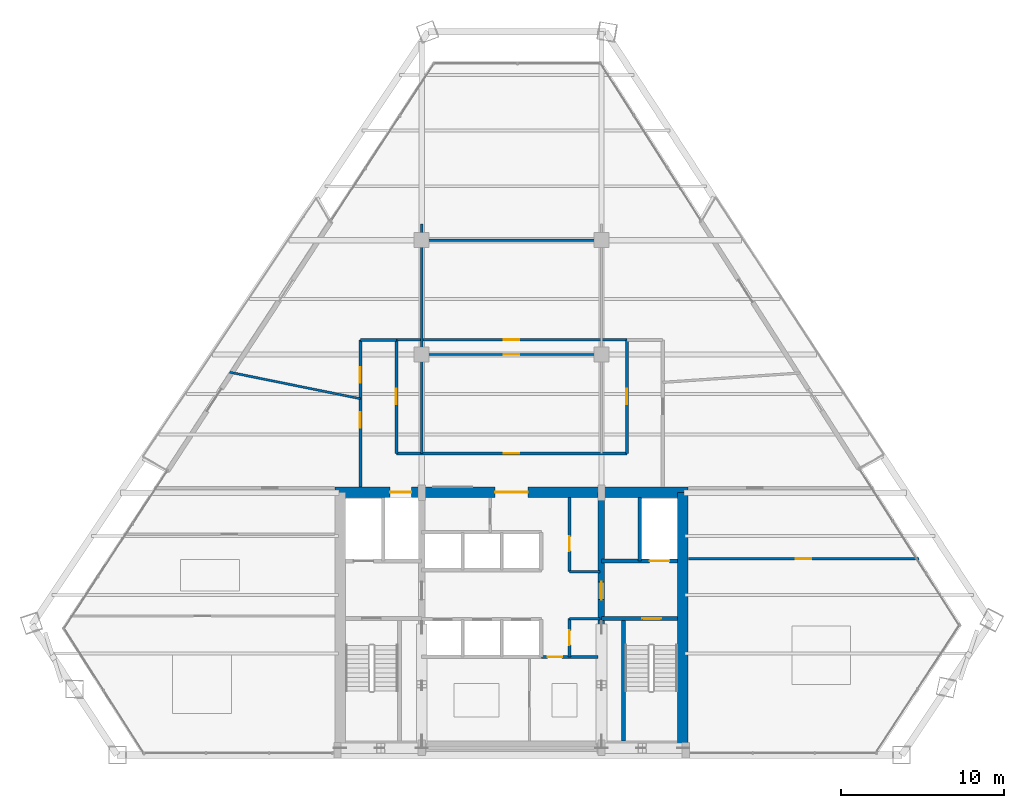
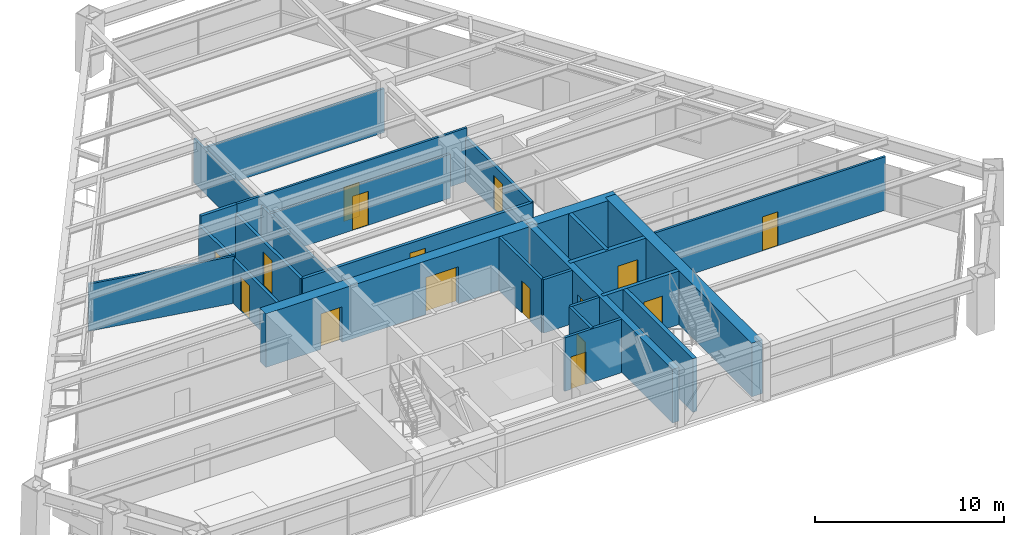
# One storey, part 11 of 14: 23 walls, 16 doors, 16 openings.
"""IFC4 building model written with IfcOpenShell, lengths in metres."""

from ifc_helpers import new_model, si_unit, direction, frame, frame_2d, origin, place, context, subcontext, project, spatial, rectangle, extrude, source, transform, mapped, material, layer, layer_set, type_object, type_shapes, element, fill, save


model = new_model("IFC4")

# Units and contexts
model_context = context("Model", 3, precision=1e-05, world=origin(), true_north=direction((0.0, 1.0)))
body_context = subcontext(model_context, "Body", "Model", "MODEL_VIEW")
ifc_project = project(units=[si_unit("LENGTHUNIT", "METRE"), si_unit("AREAUNIT", "SQUARE_METRE"), si_unit("VOLUMEUNIT", "CUBIC_METRE"), si_unit("PLANEANGLEUNIT", "RADIAN"), si_unit("MASSUNIT", "GRAM", prefix="KILO")], contexts=[model_context])

# Site, building, storey
site_placement = place(None, origin())
site = spatial("IfcSite", under=ifc_project, at=site_placement, CompositionType="ELEMENT")
building_placement = place(site_placement, origin())
building = spatial("IfcBuilding", under=site, at=building_placement, Name="Varnakhor Terracotta Tower", CompositionType="ELEMENT")
storey_placement = place(building_placement, frame((0.0, 0.0, 133.0)))
storey = spatial("IfcBuildingStorey", under=building, at=storey_placement, Name="L33", CompositionType="ELEMENT", Elevation=133.0)

# Wall, openings, doors
ifc_material_1 = material(Name="Concrete C50/60", Category="concrete")
ifc_layer_1 = layer(ifc_material_1, 0.64990234375, Name="Concrete C50/60")
ifc_layer_set_1 = layer_set([ifc_layer_1], Name="Concrete C50/60")
wall_type_1 = type_object("IfcWallType", Name="WAL-CORE-650", PredefinedType="SHEAR", material=ifc_layer_set_1)
wall_1_placement = place(storey_placement, frame((-10.800048828125, 16.074951171875, 0.0), z_axis=(0.0, 0.0, 1.0), x_axis=(1.0, 0.0, 0.0)))
wall_1 = element("IfcWall", 1, at=wall_1_placement, inside=storey, type_object=wall_type_1, Name="L33 North Core Shear Wall", PredefinedType="SHEAR", context=body_context, shape_type="SweptSolid", body=[
    extrude(rectangle(XDim=21.60009765625, YDim=0.64990234375, at=frame_2d((10.800048828125, 0.0))), origin(), (0.0, 0.0, 1.0), 3.469970703125),
])
opening_1_placement = place(wall_1_placement, frame((3.3701171875, 0.0, 0.0)))
opening_1 = element("IfcOpeningElement", 2, at=opening_1_placement, cuts=wall_1, Name="Opening LD-03", PredefinedType="OPENING", context=body_context, shape_type="SweptSolid", body=[
    extrude(rectangle(XDim=1.300048828125, YDim=2.300048828125, at=frame_2d((0.64990234375, 1.14990234375))), frame((0.0, 0.3349609375, 0.0), z_axis=(0.0, -1.0, 0.0), x_axis=(1.0, 0.0, 0.0)), (0.0, 0.0, 1.0), 0.669921875),
])
opening_2_placement = place(wall_1_placement, frame((9.800048828125, 0.0, 0.0)))
opening_2 = element("IfcOpeningElement", 3, at=opening_2_placement, cuts=wall_1, Name="Opening DR-32", PredefinedType="OPENING", context=body_context, shape_type="SweptSolid", body=[
    extrude(rectangle(XDim=2.0, YDim=2.39990234375, at=frame_2d((1.0, 1.199951171875))), frame((0.0, 0.3349609375, 0.0), z_axis=(0.0, -1.0, 0.0), x_axis=(1.0, 0.0, 0.0)), (0.0, 0.0, 1.0), 0.669921875),
])
ifc_material_2 = material(Name="Heavy-Duty Goods Sliding Lift Landing Door", Category="steel")
door_type_1 = type_object("IfcDoorType", Name="LD-SRV-1300X2300", OperationType="NOTDEFINED", PredefinedType="DOOR", material=ifc_material_2)
shared_shape_1 = source(origin(), body_context, "Body", "SweptSolid", [
    extrude(rectangle(XDim=1.300048828125, YDim=2.300048828125, at=frame_2d((0.64990234375, 1.14990234375))), frame((0.0, 0.02490234375, 0.0), z_axis=(0.0, -1.0, 0.0), x_axis=(1.0, 0.0, 0.0)), (0.0, 0.0, 1.0), 0.050048828125),
])
type_shapes(door_type_1, [shared_shape_1])
door_1_placement = place(opening_1_placement, origin())
door_1 = element("IfcDoor", 4, at=door_1_placement, inside=storey, type_object=door_type_1, Name="L33 Service Lift SVL-1 Landing Door", OperationType="SLIDING_TO_RIGHT", OverallHeight=2.300048828125, OverallWidth=1.300048828125, PredefinedType="DOOR", context=body_context, shape_type="MappedRepresentation", body=[
    mapped(shared_shape_1, transform((0.0, 0.0, 0.0), scale=1.0)),
])
fill(opening_1, door_1)
ifc_material_3 = material(Name="Acoustic Double Assembly Fire Door", Category="wood")
door_type_2 = type_object("IfcDoorType", Name="DR-HALL-2000X2400", OperationType="NOTDEFINED", PredefinedType="DOOR", material=ifc_material_3)
shared_shape_2 = source(origin(), body_context, "Body", "SweptSolid", [
    extrude(rectangle(XDim=2.0, YDim=2.39990234375, at=frame_2d((1.0, 1.199951171875))), frame((0.0, 0.02490234375, 0.0), z_axis=(0.0, -1.0, 0.0), x_axis=(1.0, 0.0, 0.0)), (0.0, 0.0, 1.0), 0.050048828125),
])
type_shapes(door_type_2, [shared_shape_2])
door_2_placement = place(opening_2_placement, origin())
door_2 = element("IfcDoor", 5, at=door_2_placement, inside=storey, type_object=door_type_2, Name="L33 Core Main Lobby Double Door", OperationType="DOUBLE_DOOR_SINGLE_SWING", OverallHeight=2.39990234375, OverallWidth=2.0, PredefinedType="DOOR", context=body_context, shape_type="MappedRepresentation", body=[
    mapped(shared_shape_2, transform((0.0, 0.0, 0.0), scale=1.0)),
])
fill(opening_2, door_2)

# Wall
wall_2_placement = place(storey_placement, frame((10.47509765625, 0.52490234375, 0.0), z_axis=(0.0, 0.0, 1.0), x_axis=(0.0, 1.0, 0.0)))
element("IfcWall", 6, at=wall_2_placement, inside=storey, type_object=wall_type_1, Name="L33 East Core Shear Wall", PredefinedType="SHEAR", context=body_context, shape_type="SweptSolid", body=[
    extrude(rectangle(XDim=15.550048828125, YDim=0.64990234375, at=frame_2d((7.77490234375, 0.0))), origin(), (0.0, 0.0, 1.0), 3.469970703125),
])

# Wall, opening, door
ifc_layer_2 = layer(ifc_material_1, 0.39990234375, Name="Concrete C50/60")
ifc_layer_set_2 = layer_set([ifc_layer_2], Name="Concrete C50/60")
wall_type_2 = type_object("IfcWallType", Name="WAL-CORE-WEB-400", PredefinedType="SHEAR", material=ifc_layer_set_2)
wall_3_placement = place(storey_placement, frame((5.5, 0.52490234375, 0.0), z_axis=(0.0, 0.0, 1.0), x_axis=(0.0, 1.0, 0.0)))
wall_3 = element("IfcWall", 7, at=wall_3_placement, inside=storey, type_object=wall_type_2, Name="L33 East Core Web Shear Wall", PredefinedType="SHEAR", context=body_context, shape_type="SweptSolid", body=[
    extrude(rectangle(XDim=15.550048828125, YDim=0.39990234375, at=frame_2d((7.77490234375, 0.0))), origin(), (0.0, 0.0, 1.0), 3.469970703125),
])
opening_3_placement = place(wall_3_placement, frame((8.97509765625, 0.0, 0.0)))
opening_3 = element("IfcOpeningElement", 8, at=opening_3_placement, cuts=wall_3, Name="Opening DR-25", PredefinedType="OPENING", context=body_context, shape_type="SweptSolid", body=[
    extrude(rectangle(XDim=1.10009765625, YDim=2.199951171875, at=frame_2d((0.550048828125, 1.10009765625))), frame((0.0, 0.2099609375, 0.0), z_axis=(0.0, -1.0, 0.0), x_axis=(1.0, 0.0, 0.0)), (0.0, 0.0, 1.0), 0.419921875),
])
ifc_material_4 = material(Name="Firefighting Lobby Self-Closing Fire Door", Category="steel")
door_type_3 = type_object("IfcDoorType", Name="DR-FFL-1100X2200", OperationType="NOTDEFINED", PredefinedType="DOOR", material=ifc_material_4)
shared_shape_3 = source(origin(), body_context, "Body", "SweptSolid", [
    extrude(rectangle(XDim=1.10009765625, YDim=2.199951171875, at=frame_2d((0.550048828125, 1.10009765625))), frame((0.0, 0.02490234375, 0.0), z_axis=(0.0, -1.0, 0.0), x_axis=(1.0, 0.0, 0.0)), (0.0, 0.0, 1.0), 0.050048828125),
])
type_shapes(door_type_3, [shared_shape_3])
door_3_placement = place(opening_3_placement, origin())
door_3 = element("IfcDoor", 9, at=door_3_placement, inside=storey, type_object=door_type_3, Name="L33 East Firefighting Lobby Door", OperationType="SINGLE_SWING_LEFT", OverallHeight=2.199951171875, OverallWidth=1.10009765625, PredefinedType="DOOR", context=body_context, shape_type="MappedRepresentation", body=[
    mapped(shared_shape_3, transform((0.0, 0.0, 0.0), scale=1.0)),
])
fill(opening_3, door_3)

ifc_material_5 = material(Name="Fire-Rated Gypsum Stud Partition", Category="gypsum")
ifc_layer_3 = layer(ifc_material_5, 0.18505859375, Name="Fire-Rated Gypsum Stud Partition")
ifc_layer_set_3 = layer_set([ifc_layer_3], Name="Fire-Rated Gypsum Stud Partition")
wall_type_3 = type_object("IfcWallType", Name="WAL-CORR-185", PredefinedType="PARTITIONING", material=ifc_layer_set_3)
wall_4_placement = place(storey_placement, frame((-7.050048828125, 18.449951171875, 0.0), z_axis=(0.0, 0.0, 1.0), x_axis=(1.0, 0.0, 0.0)))
wall_4 = element("IfcWall", 10, at=wall_4_placement, inside=storey, type_object=wall_type_3, Name="L33 Central Gallery Link Wall", PredefinedType="PARTITIONING", context=body_context, shape_type="SweptSolid", body=[
    extrude(rectangle(XDim=14.10009765625, YDim=0.18505859375, at=frame_2d((7.050048828125, 0.0))), origin(), (0.0, 0.0, 1.0), 2.845947265625),
])
opening_4_placement = place(wall_4_placement, frame((6.574951171875, 0.0, 0.0)))
opening_4 = element("IfcOpeningElement", 11, at=opening_4_placement, cuts=wall_4, Name="Opening DR-94", PredefinedType="OPENING", context=body_context, shape_type="SweptSolid", body=[
    extrude(rectangle(XDim=0.949951171875, YDim=2.199951171875, at=frame_2d((0.47509765625, 1.10009765625))), frame((0.0, 0.1025390625, 0.0), z_axis=(0.0, -1.0, 0.0), x_axis=(1.0, 0.0, 0.0)), (0.0, 0.0, 1.0), 0.205078125),
])
ifc_material_6 = material(Name="Acoustic Glazed-Vision Timber Office Door", Category="wood")
door_type_4 = type_object("IfcDoorType", Name="DR-OFF-950X2200", OperationType="NOTDEFINED", PredefinedType="DOOR", material=ifc_material_6)
shared_shape_4 = source(origin(), body_context, "Body", "SweptSolid", [
    extrude(rectangle(XDim=0.949951171875, YDim=2.199951171875, at=frame_2d((0.47509765625, 1.10009765625))), frame((0.0, 0.02490234375, 0.0), z_axis=(0.0, -1.0, 0.0), x_axis=(1.0, 0.0, 0.0)), (0.0, 0.0, 1.0), 0.050048828125),
])
type_shapes(door_type_4, [shared_shape_4])
door_4_placement = place(opening_4_placement, origin())
door_4 = element("IfcDoor", 12, at=door_4_placement, inside=storey, type_object=door_type_4, Name="L33 Center Suite Door", OperationType="SINGLE_SWING_LEFT", OverallHeight=2.199951171875, OverallWidth=0.949951171875, PredefinedType="DOOR", context=body_context, shape_type="MappedRepresentation", body=[
    mapped(shared_shape_4, transform((0.0, 0.0, 0.0), scale=1.0)),
])
fill(opening_4, door_4)

wall_5_placement = place(storey_placement, frame((-7.050048828125, 18.449951171875, 0.0), z_axis=(0.0, 0.0, 1.0), x_axis=(0.0, 1.0, 0.0)))
wall_5 = element("IfcWall", 13, at=wall_5_placement, inside=storey, type_object=wall_type_3, Name="L33 West Gallery Inner Wall", PredefinedType="PARTITIONING", context=body_context, shape_type="SweptSolid", body=[
    extrude(rectangle(XDim=6.949951171875, YDim=0.18505859375, at=frame_2d((3.47509765625, 0.0))), origin(), (0.0, 0.0, 1.0), 2.845947265625),
])
opening_5_placement = place(wall_5_placement, frame((3.0, 0.0, 0.0)))
opening_5 = element("IfcOpeningElement", 14, at=opening_5_placement, cuts=wall_5, Name="Opening DR-94", PredefinedType="OPENING", context=body_context, shape_type="SweptSolid", body=[
    extrude(rectangle(XDim=0.949951171875, YDim=2.199951171875, at=frame_2d((0.47509765625, 1.10009765625))), frame((0.0, 0.1025390625, 0.0), z_axis=(0.0, -1.0, 0.0), x_axis=(1.0, 0.0, 0.0)), (0.0, 0.0, 1.0), 0.205078125),
])
door_5_placement = place(opening_5_placement, origin())
door_5 = element("IfcDoor", 15, at=door_5_placement, inside=storey, type_object=door_type_4, Name="L33 Corporate Office W1 B10 Door", OperationType="SINGLE_SWING_RIGHT", OverallHeight=2.199951171875, OverallWidth=0.949951171875, PredefinedType="DOOR", context=body_context, shape_type="MappedRepresentation", body=[
    mapped(shared_shape_4, transform((0.0, 0.0, 0.0), scale=1.0)),
])
fill(opening_5, door_5)

wall_6_placement = place(storey_placement, frame((7.050048828125, 18.449951171875, 0.0), z_axis=(0.0, 0.0, 1.0), x_axis=(0.0, 1.0, 0.0)))
wall_6 = element("IfcWall", 16, at=wall_6_placement, inside=storey, type_object=wall_type_3, Name="L33 East Gallery Inner Wall", PredefinedType="PARTITIONING", context=body_context, shape_type="SweptSolid", body=[
    extrude(rectangle(XDim=6.949951171875, YDim=0.18505859375, at=frame_2d((3.47509765625, 0.0))), origin(), (0.0, 0.0, 1.0), 2.845947265625),
])
opening_6_placement = place(wall_6_placement, frame((3.0, 0.0, 0.0)))
opening_6 = element("IfcOpeningElement", 17, at=opening_6_placement, cuts=wall_6, Name="Opening DR-94", PredefinedType="OPENING", context=body_context, shape_type="SweptSolid", body=[
    extrude(rectangle(XDim=0.949951171875, YDim=2.199951171875, at=frame_2d((0.47509765625, 1.10009765625))), frame((0.0, 0.1025390625, 0.0), z_axis=(0.0, -1.0, 0.0), x_axis=(1.0, 0.0, 0.0)), (0.0, 0.0, 1.0), 0.205078125),
])
door_6_placement = place(opening_6_placement, origin())
door_6 = element("IfcDoor", 18, at=door_6_placement, inside=storey, type_object=door_type_4, Name="L33 Corporate Office W2 B11 Door", OperationType="SINGLE_SWING_LEFT", OverallHeight=2.199951171875, OverallWidth=0.949951171875, PredefinedType="DOOR", context=body_context, shape_type="MappedRepresentation", body=[
    mapped(shared_shape_4, transform((0.0, 0.0, 0.0), scale=1.0)),
])
fill(opening_6, door_6)

# Wall, openings, doors
wall_7_placement = place(storey_placement, frame((-9.25, 16.39990234375, 0.0), z_axis=(0.0, 0.0, 1.0), x_axis=(0.0, 1.0, 0.0)))
wall_7 = element("IfcWall", 19, at=wall_7_placement, inside=storey, type_object=wall_type_3, Name="L33 West Gallery Outer Wall", PredefinedType="PARTITIONING", context=body_context, shape_type="SweptSolid", body=[
    extrude(rectangle(XDim=9.0, YDim=0.18505859375, at=frame_2d((4.5, 0.0))), origin(), (0.0, 0.0, 1.0), 2.845947265625),
])
opening_7_placement = place(wall_7_placement, frame((3.60888671875, 0.0, 0.0)))
opening_7 = element("IfcOpeningElement", 20, at=opening_7_placement, cuts=wall_7, Name="Opening DR-94", PredefinedType="OPENING", context=body_context, shape_type="SweptSolid", body=[
    extrude(rectangle(XDim=0.949951171875, YDim=2.199951171875, at=frame_2d((0.47509765625, 1.10009765625))), frame((0.0, 0.1025390625, 0.0), z_axis=(0.0, -1.0, 0.0), x_axis=(1.0, 0.0, 0.0)), (0.0, 0.0, 1.0), 0.205078125),
])
opening_8_placement = place(wall_7_placement, frame((6.384765625, 0.0, 0.0)))
opening_8 = element("IfcOpeningElement", 21, at=opening_8_placement, cuts=wall_7, Name="Opening DR-94", PredefinedType="OPENING", context=body_context, shape_type="SweptSolid", body=[
    extrude(rectangle(XDim=0.949951171875, YDim=2.199951171875, at=frame_2d((0.47509765625, 1.10009765625))), frame((0.0, 0.1025390625, 0.0), z_axis=(0.0, -1.0, 0.0), x_axis=(1.0, 0.0, 0.0)), (0.0, 0.0, 1.0), 0.205078125),
])
door_7_placement = place(opening_7_placement, origin())
door_7 = element("IfcDoor", 22, at=door_7_placement, inside=storey, type_object=door_type_4, Name="L33 West Wing Door", OperationType="SINGLE_SWING_RIGHT", OverallHeight=2.199951171875, OverallWidth=0.949951171875, PredefinedType="DOOR", context=body_context, shape_type="MappedRepresentation", body=[
    mapped(shared_shape_4, transform((0.0, 0.0, 0.0), scale=1.0)),
])
fill(opening_7, door_7)
door_8_placement = place(opening_8_placement, origin())
door_8 = element("IfcDoor", 23, at=door_8_placement, inside=storey, type_object=door_type_4, Name="L33 Tea Pantry Door", OperationType="SINGLE_SWING_LEFT", OverallHeight=2.199951171875, OverallWidth=0.949951171875, PredefinedType="DOOR", context=body_context, shape_type="MappedRepresentation", body=[
    mapped(shared_shape_4, transform((0.0, 0.0, 0.0), scale=1.0)),
])
fill(opening_8, door_8)

# Wall
wall_8_placement = place(storey_placement, frame((-9.25, 25.39990234375, 0.0), z_axis=(0.0, 0.0, 1.0), x_axis=(1.0, 0.0, 0.0)))
element("IfcWall", 24, at=wall_8_placement, inside=storey, type_object=wall_type_3, Name="L33 West Gallery North End", PredefinedType="PARTITIONING", context=body_context, shape_type="SweptSolid", body=[
    extrude(rectangle(XDim=2.199951171875, YDim=0.18505859375, at=frame_2d((1.10009765625, 0.0))), origin(), (0.0, 0.0, 1.0), 3.4619140625),
])

# Wall, opening, door
ifc_material_7 = material(Name="Concrete C40/50", Category="concrete")
ifc_layer_4 = layer(ifc_material_7, 0.219970703125, Name="Concrete C40/50")
ifc_layer_set_4 = layer_set([ifc_layer_4], Name="Concrete C40/50")
wall_type_4 = type_object("IfcWallType", Name="WAL-FFLOBBY-220", PredefinedType="SOLIDWALL", material=ifc_layer_set_4)
wall_9_placement = place(storey_placement, frame((10.14990234375, 8.35009765625, 0.0), z_axis=(0.0, 0.0, 1.0), x_axis=(-1.0, 0.0, 0.0)))
wall_9 = element("IfcWall", 25, at=wall_9_placement, inside=storey, type_object=wall_type_4, Name="L33 East Firefighting Lobby Stair Wall", PredefinedType="SOLIDWALL", context=body_context, shape_type="SweptSolid", body=[
    extrude(rectangle(XDim=4.64990234375, YDim=0.219970703125, at=frame_2d((2.324951171875, 0.0))), origin(), (0.0, 0.0, 1.0), 3.469970703125),
])
opening_9_placement = place(wall_9_placement, frame((1.0, 0.0, 0.0)))
opening_9 = element("IfcOpeningElement", 26, at=opening_9_placement, cuts=wall_9, Name="Opening DR-34", PredefinedType="OPENING", context=body_context, shape_type="SweptSolid", body=[
    extrude(rectangle(XDim=1.14990234375, YDim=2.199951171875, at=frame_2d((0.574951171875, 1.10009765625))), frame((0.0, 0.1201171875, 0.0), z_axis=(0.0, -1.0, 0.0), x_axis=(1.0, 0.0, 0.0)), (0.0, 0.0, 1.0), 0.239990234375),
])
ifc_material_8 = material(Name="Self-Closing Smoke-Sealed Steel Fire Door", Category="steel")
door_type_5 = type_object("IfcDoorType", Name="DR-STAIR-1150X2200", OperationType="NOTDEFINED", PredefinedType="DOOR", material=ifc_material_8)
shared_shape_5 = source(origin(), body_context, "Body", "SweptSolid", [
    extrude(rectangle(XDim=1.14990234375, YDim=2.199951171875, at=frame_2d((0.574951171875, 1.10009765625))), frame((0.0, 0.02490234375, 0.0), z_axis=(0.0, -1.0, 0.0), x_axis=(1.0, 0.0, 0.0)), (0.0, 0.0, 1.0), 0.050048828125),
])
type_shapes(door_type_5, [shared_shape_5])
door_9_placement = place(opening_9_placement, origin())
door_9 = element("IfcDoor", 27, at=door_9_placement, inside=storey, type_object=door_type_5, Name="L33 Exit Stair ST-2 Fire Door", OperationType="SINGLE_SWING_RIGHT", OverallHeight=2.199951171875, OverallWidth=1.14990234375, PredefinedType="DOOR", context=body_context, shape_type="MappedRepresentation", body=[
    mapped(shared_shape_5, transform((0.0, 0.0, 0.0), scale=1.0)),
])
fill(opening_9, door_9)

ifc_material_9 = material(Name="Acoustic Metal-Stud Partition", Category="gypsum")
ifc_layer_5 = layer(ifc_material_9, 0.139892578125, Name="Acoustic Metal-Stud Partition")
ifc_layer_set_5 = layer_set([ifc_layer_5], Name="Acoustic Metal-Stud Partition")
wall_type_5 = type_object("IfcWallType", Name="WAL-PART-140", PredefinedType="PARTITIONING", material=ifc_layer_set_5)
wall_10_placement = place(storey_placement, frame((-7.050048828125, 25.39990234375, 0.0), z_axis=(0.0, 0.0, 1.0), x_axis=(1.0, 0.0, 0.0)))
wall_10 = element("IfcWall", 28, at=wall_10_placement, inside=storey, type_object=wall_type_5, Name="L33 Gallery Center Cap Wall", PredefinedType="PARTITIONING", context=body_context, shape_type="SweptSolid", body=[
    extrude(rectangle(XDim=14.10009765625, YDim=0.139892578125, at=frame_2d((7.050048828125, 0.0))), origin(), (0.0, 0.0, 1.0), 3.4619140625),
])
opening_10_placement = place(wall_10_placement, frame((6.574951171875, 0.0, 0.0)))
opening_10 = element("IfcOpeningElement", 29, at=opening_10_placement, cuts=wall_10, Name="Opening DR-94", PredefinedType="OPENING", context=body_context, shape_type="SweptSolid", body=[
    extrude(rectangle(XDim=0.949951171875, YDim=2.199951171875, at=frame_2d((0.47509765625, 1.10009765625))), frame((0.0, 0.080078125, 0.0), z_axis=(0.0, -1.0, 0.0), x_axis=(1.0, 0.0, 0.0)), (0.0, 0.0, 1.0), 0.159912109375),
])
door_10_placement = place(opening_10_placement, origin())
door_10 = element("IfcDoor", 30, at=door_10_placement, inside=storey, type_object=door_type_4, Name="L33 Corporate Office E2 B13 Door", OperationType="SINGLE_SWING_LEFT", OverallHeight=2.199951171875, OverallWidth=0.949951171875, PredefinedType="DOOR", context=body_context, shape_type="MappedRepresentation", body=[
    mapped(shared_shape_4, transform((0.0, 0.0, 0.0), scale=1.0)),
])
fill(opening_10, door_10)

# Wall
wall_11_placement = place(storey_placement, frame((-5.5, 18.449951171875, 0.0), z_axis=(0.0, 0.0, 1.0), x_axis=(0.0, 1.0, 0.0)))
element("IfcWall", 31, at=wall_11_placement, inside=storey, type_object=wall_type_5, Name="L33 Center West Column Wall", PredefinedType="PARTITIONING", context=body_context, shape_type="SweptSolid", body=[
    extrude(rectangle(XDim=14.050048828125, YDim=0.139892578125, at=frame_2d((7.02490234375, 0.0))), origin(), (0.0, 0.0, 1.0), 2.845947265625),
])

# Wall, opening, door
wall_12_placement = place(storey_placement, frame((-5.5, 24.5, 0.0), z_axis=(0.0, 0.0, 1.0), x_axis=(1.0, 0.0, 0.0)))
wall_12 = element("IfcWall", 32, at=wall_12_placement, inside=storey, type_object=wall_type_5, Name="L33 Center Cross Cut 1", PredefinedType="PARTITIONING", context=body_context, shape_type="SweptSolid", body=[
    extrude(rectangle(XDim=11.0, YDim=0.139892578125, at=frame_2d((5.5, 0.0))), origin(), (0.0, 0.0, 1.0), 2.845947265625),
])
opening_11_placement = place(wall_12_placement, frame((5.02490234375, 0.0, 0.0)))
opening_11 = element("IfcOpeningElement", 33, at=opening_11_placement, cuts=wall_12, Name="Opening DR-94", PredefinedType="OPENING", context=body_context, shape_type="SweptSolid", body=[
    extrude(rectangle(XDim=0.949951171875, YDim=2.199951171875, at=frame_2d((0.47509765625, 1.10009765625))), frame((0.0, 0.080078125, 0.0), z_axis=(0.0, -1.0, 0.0), x_axis=(1.0, 0.0, 0.0)), (0.0, 0.0, 1.0), 0.159912109375),
])
door_11_placement = place(opening_11_placement, origin())
door_11 = element("IfcDoor", 34, at=door_11_placement, inside=storey, type_object=door_type_4, Name="L33 Executive Office N1 Door", OperationType="SINGLE_SWING_RIGHT", OverallHeight=2.199951171875, OverallWidth=0.949951171875, PredefinedType="DOOR", context=body_context, shape_type="MappedRepresentation", body=[
    mapped(shared_shape_4, transform((0.0, 0.0, 0.0), scale=1.0)),
])
fill(opening_11, door_11)

# Walls
wall_13_placement = place(storey_placement, frame((-5.5, 31.5, 0.0), z_axis=(0.0, 0.0, 1.0), x_axis=(1.0, 0.0, 0.0)))
element("IfcWall", 35, at=wall_13_placement, inside=storey, type_object=wall_type_5, Name="L33 Center Cross Cut 2", PredefinedType="PARTITIONING", context=body_context, shape_type="SweptSolid", body=[
    extrude(rectangle(XDim=11.0, YDim=0.139892578125, at=frame_2d((5.5, 0.0))), origin(), (0.0, 0.0, 1.0), 2.845947265625),
])
wall_14_placement = place(storey_placement, frame((-17.24560546875, 23.419921875, 0.0), z_axis=(0.0, 0.0, 1.0), x_axis=(0.980088444261, -0.198561429853, 0.0)))
element("IfcWall", 36, at=wall_14_placement, inside=storey, type_object=wall_type_5, Name="L33 West Wing Cut 3", PredefinedType="PARTITIONING", context=body_context, shape_type="SweptSolid", body=[
    extrude(rectangle(XDim=8.157958984375, YDim=0.139892578125, at=frame_2d((4.0791015625, 0.0))), origin(), (0.0, 0.0, 1.0), 3.049072265625),
])

# Wall, opening, door
wall_15_placement = place(storey_placement, frame((10.820068359375, 12.0, 0.0), z_axis=(0.0, 0.0, 1.0), x_axis=(1.0, 0.0, 0.0)))
wall_15 = element("IfcWall", 37, at=wall_15_placement, inside=storey, type_object=wall_type_5, Name="L33 East Wing Cut 1", PredefinedType="PARTITIONING", context=body_context, shape_type="SweptSolid", body=[
    extrude(rectangle(XDim=14.109130859375, YDim=0.139892578125, at=frame_2d((7.0546875, 0.0))), origin(), (0.0, 0.0, 1.0), 3.4619140625),
])
opening_12_placement = place(wall_15_placement, frame((6.571533203125, 0.0, 0.0)))
opening_12 = element("IfcOpeningElement", 38, at=opening_12_placement, cuts=wall_15, Name="Opening DR-94", PredefinedType="OPENING", context=body_context, shape_type="SweptSolid", body=[
    extrude(rectangle(XDim=0.949951171875, YDim=2.199951171875, at=frame_2d((0.47509765625, 1.10009765625))), frame((0.0, 0.080078125, 0.0), z_axis=(0.0, -1.0, 0.0), x_axis=(1.0, 0.0, 0.0)), (0.0, 0.0, 1.0), 0.159912109375),
])
door_12_placement = place(opening_12_placement, origin())
door_12 = element("IfcDoor", 39, at=door_12_placement, inside=storey, type_object=door_type_4, Name="L33 Corporate Office W1 SE Door", OperationType="SINGLE_SWING_RIGHT", OverallHeight=2.199951171875, OverallWidth=0.949951171875, PredefinedType="DOOR", context=body_context, shape_type="MappedRepresentation", body=[
    mapped(shared_shape_4, transform((0.0, 0.0, 0.0), scale=1.0)),
])
fill(opening_12, door_12)

# Walls
ifc_layer_6 = layer(ifc_material_7, 0.219970703125, Name="Concrete C40/50")
ifc_layer_set_6 = layer_set([ifc_layer_6], Name="Concrete C40/50")
wall_type_6 = type_object("IfcWallType", Name="WAL-SHAFT-220", PredefinedType="SOLIDWALL", material=ifc_layer_set_6)
wall_16_placement = place(storey_placement, frame((7.840087890625, 11.8701171875, 0.0), z_axis=(0.0, 0.0, 1.0), x_axis=(0.0, 1.0, 0.0)))
element("IfcWall", 40, at=wall_16_placement, inside=storey, type_object=wall_type_6, Name="L33 Lift FFL-2 and Riser Divider Wall", PredefinedType="SOLIDWALL", context=body_context, shape_type="SweptSolid", body=[
    extrude(rectangle(XDim=3.8798828125, YDim=0.219970703125, at=frame_2d((1.93994140625, 0.0))), origin(), (0.0, 0.0, 1.0), 3.469970703125),
])
ifc_layer_7 = layer(ifc_material_7, 0.25, Name="Concrete C40/50")
ifc_layer_set_7 = layer_set([ifc_layer_7], Name="Concrete C40/50")
wall_type_7 = type_object("IfcWallType", Name="WAL-SHAFT-250", PredefinedType="SOLIDWALL", material=ifc_layer_set_7)
wall_17_placement = place(storey_placement, frame((6.85009765625, 0.85009765625, 0.0), z_axis=(0.0, 0.0, 1.0), x_axis=(0.0, 1.0, 0.0)))
element("IfcWall", 41, at=wall_17_placement, inside=storey, type_object=wall_type_7, Name="L33 Stair ST-2 Bearing Shaft Wall", PredefinedType="SOLIDWALL", context=body_context, shape_type="SweptSolid", body=[
    extrude(rectangle(XDim=7.5, YDim=0.25, at=frame_2d((3.75, 0.0))), origin(), (0.0, 0.0, 1.0), 3.469970703125),
])

# Wall, opening, door
wall_18_placement = place(storey_placement, frame((10.14990234375, 11.8701171875, 0.0), z_axis=(0.0, 0.0, 1.0), x_axis=(-1.0, 0.0, 0.0)))
wall_18 = element("IfcWall", 42, at=wall_18_placement, inside=storey, type_object=wall_type_7, Name="L33 Lift FFL-2 Shaft Front Wall", PredefinedType="SOLIDWALL", context=body_context, shape_type="SweptSolid", body=[
    extrude(rectangle(XDim=4.64990234375, YDim=0.25, at=frame_2d((2.324951171875, 0.0))), origin(), (0.0, 0.0, 1.0), 3.469970703125),
])
opening_13_placement = place(wall_18_placement, frame((0.5, 0.0, 0.0)))
opening_13 = element("IfcOpeningElement", 43, at=opening_13_placement, cuts=wall_18, Name="Opening LD-02", PredefinedType="OPENING", context=body_context, shape_type="SweptSolid", body=[
    extrude(rectangle(XDim=1.199951171875, YDim=2.25, at=frame_2d((0.60009765625, 1.125))), frame((0.0, 0.135009765625, 0.0), z_axis=(0.0, -1.0, 0.0), x_axis=(1.0, 0.0, 0.0)), (0.0, 0.0, 1.0), 0.27001953125),
])
ifc_material_10 = material(Name="Firefighting Stretcher Sliding Lift Landing Door", Category="steel")
door_type_6 = type_object("IfcDoorType", Name="LD-FFL-1200X2250", OperationType="NOTDEFINED", PredefinedType="DOOR", material=ifc_material_10)
shared_shape_6 = source(origin(), body_context, "Body", "SweptSolid", [
    extrude(rectangle(XDim=1.199951171875, YDim=2.25, at=frame_2d((0.60009765625, 1.125))), frame((0.0, 0.02490234375, 0.0), z_axis=(0.0, -1.0, 0.0), x_axis=(1.0, 0.0, 0.0)), (0.0, 0.0, 1.0), 0.050048828125),
])
type_shapes(door_type_6, [shared_shape_6])
door_13_placement = place(opening_13_placement, origin())
door_13 = element("IfcDoor", 44, at=door_13_placement, inside=storey, type_object=door_type_6, Name="L33 Firefighting Lift FFL-2 Landing Door", OperationType="SLIDING_TO_RIGHT", OverallHeight=2.25, OverallWidth=1.199951171875, PredefinedType="DOOR", context=body_context, shape_type="MappedRepresentation", body=[
    mapped(shared_shape_6, transform((0.0, 0.0, 0.0), scale=1.0)),
])
fill(opening_13, door_13)

ifc_material_11 = material(Name="Acoustic Fire-Rated Partition", Category="gypsum")
ifc_layer_8 = layer(ifc_material_11, 0.1650390625, Name="Acoustic Fire-Rated Partition")
ifc_layer_set_8 = layer_set([ifc_layer_8], Name="Acoustic Fire-Rated Partition")
wall_type_8 = type_object("IfcWallType", Name="WAL-TENANCY-165", PredefinedType="PARTITIONING", material=ifc_layer_set_8)
wall_19_placement = place(storey_placement, frame((1.820068359375, 6.0, 0.0), z_axis=(0.0, 0.0, 1.0), x_axis=(1.0, 0.0, 0.0)))
wall_19 = element("IfcWall", 45, at=wall_19_placement, inside=storey, type_object=wall_type_8, Name="L33 Reclaimed Core Bay North Rated Wall", PredefinedType="PARTITIONING", context=body_context, shape_type="SweptSolid", body=[
    extrude(rectangle(XDim=3.47998046875, YDim=0.1650390625, at=frame_2d((1.739990234375, 0.0))), origin(), (0.0, 0.0, 1.0), 3.4619140625),
])
opening_14_placement = place(wall_19_placement, frame((0.3798828125, 0.0, 0.0)))
opening_14 = element("IfcOpeningElement", 46, at=opening_14_placement, cuts=wall_19, Name="Opening DR-67", PredefinedType="OPENING", context=body_context, shape_type="SweptSolid", body=[
    extrude(rectangle(XDim=0.89990234375, YDim=2.10009765625, at=frame_2d((0.449951171875, 1.050048828125))), frame((0.0, 0.092529296875, 0.0), z_axis=(0.0, -1.0, 0.0), x_axis=(1.0, 0.0, 0.0)), (0.0, 0.0, 1.0), 0.18505859375),
])
ifc_material_12 = material(Name="Steel Service Riser Fire Door", Category="steel")
door_type_7 = type_object("IfcDoorType", Name="DR-RISER-900X2100", OperationType="NOTDEFINED", PredefinedType="DOOR", material=ifc_material_12)
shared_shape_7 = source(origin(), body_context, "Body", "SweptSolid", [
    extrude(rectangle(XDim=0.89990234375, YDim=2.10009765625, at=frame_2d((0.449951171875, 1.050048828125))), frame((0.0, 0.02490234375, 0.0), z_axis=(0.0, -1.0, 0.0), x_axis=(1.0, 0.0, 0.0)), (0.0, 0.0, 1.0), 0.050048828125),
])
type_shapes(door_type_7, [shared_shape_7])
door_14_placement = place(opening_14_placement, origin())
door_14 = element("IfcDoor", 47, at=door_14_placement, inside=storey, type_object=door_type_7, Name="L33 Core Reclaimed Suite Door", OperationType="SINGLE_SWING_RIGHT", OverallHeight=2.10009765625, OverallWidth=0.89990234375, PredefinedType="DOOR", context=body_context, shape_type="MappedRepresentation", body=[
    mapped(shared_shape_7, transform((0.0, 0.0, 0.0), scale=1.0)),
])
fill(opening_14, door_14)

wall_20_placement = place(storey_placement, frame((3.5400390625, 6.0, 0.0), z_axis=(0.0, 0.0, 1.0), x_axis=(0.0, 1.0, 0.0)))
wall_20 = element("IfcWall", 48, at=wall_20_placement, inside=storey, type_object=wall_type_8, Name="L33 Accessible WC Rated Wall", PredefinedType="PARTITIONING", context=body_context, shape_type="SweptSolid", body=[
    extrude(rectangle(XDim=2.340087890625, YDim=0.1650390625, at=frame_2d((1.169921875, 0.0))), origin(), (0.0, 0.0, 1.0), 3.4619140625),
])
opening_15_placement = place(wall_20_placement, frame((0.719970703125, 0.0, 0.0)))
opening_15 = element("IfcOpeningElement", 49, at=opening_15_placement, cuts=wall_20, Name="Opening DR-67", PredefinedType="OPENING", context=body_context, shape_type="SweptSolid", body=[
    extrude(rectangle(XDim=0.89990234375, YDim=2.10009765625, at=frame_2d((0.449951171875, 1.050048828125))), frame((0.0, 0.092529296875, 0.0), z_axis=(0.0, -1.0, 0.0), x_axis=(1.0, 0.0, 0.0)), (0.0, 0.0, 1.0), 0.18505859375),
])
door_15_placement = place(opening_15_placement, origin())
door_15 = element("IfcDoor", 50, at=door_15_placement, inside=storey, type_object=door_type_7, Name="L33 Accessible WC Door", OperationType="SINGLE_SWING_RIGHT", OverallHeight=2.10009765625, OverallWidth=0.89990234375, PredefinedType="DOOR", context=body_context, shape_type="MappedRepresentation", body=[
    mapped(shared_shape_7, transform((0.0, 0.0, 0.0), scale=1.0)),
])
fill(opening_15, door_15)

# Wall
wall_21_placement = place(storey_placement, frame((3.5400390625, 8.340087890625, 0.0), z_axis=(0.0, 0.0, 1.0), x_axis=(1.0, 0.0, 0.0)))
element("IfcWall", 51, at=wall_21_placement, inside=storey, type_object=wall_type_8, Name="L33 Accessible WC North Wall", PredefinedType="PARTITIONING", context=body_context, shape_type="SweptSolid", body=[
    extrude(rectangle(XDim=1.8798828125, YDim=0.1650390625, at=frame_2d((0.93994140625, 0.0))), origin(), (0.0, 0.0, 1.0), 3.4619140625),
])

# Wall, opening, door
wall_22_placement = place(storey_placement, frame((3.5400390625, 11.219970703125, 0.0), z_axis=(0.0, 0.0, 1.0), x_axis=(0.0, 1.0, 0.0)))
wall_22 = element("IfcWall", 52, at=wall_22_placement, inside=storey, type_object=wall_type_8, Name="L33 Restroom Corridor Wall", PredefinedType="PARTITIONING", context=body_context, shape_type="SweptSolid", body=[
    extrude(rectangle(XDim=4.530029296875, YDim=0.1650390625, at=frame_2d((2.26513671875, 0.0))), origin(), (0.0, 0.0, 1.0), 3.4619140625),
])
opening_16_placement = place(wall_22_placement, frame((1.25, 0.0, 0.0)))
opening_16 = element("IfcOpeningElement", 53, at=opening_16_placement, cuts=wall_22, Name="Opening DR-67", PredefinedType="OPENING", context=body_context, shape_type="SweptSolid", body=[
    extrude(rectangle(XDim=0.89990234375, YDim=2.10009765625, at=frame_2d((0.449951171875, 1.050048828125))), frame((0.0, 0.092529296875, 0.0), z_axis=(0.0, -1.0, 0.0), x_axis=(1.0, 0.0, 0.0)), (0.0, 0.0, 1.0), 0.18505859375),
])
door_16_placement = place(opening_16_placement, origin())
door_16 = element("IfcDoor", 54, at=door_16_placement, inside=storey, type_object=door_type_7, Name="L33 Female WC Door", OperationType="SINGLE_SWING_RIGHT", OverallHeight=2.10009765625, OverallWidth=0.89990234375, PredefinedType="DOOR", context=body_context, shape_type="MappedRepresentation", body=[
    mapped(shared_shape_7, transform((0.0, 0.0, 0.0), scale=1.0)),
])
fill(opening_16, door_16)

# Wall
wall_23_placement = place(storey_placement, frame((3.5400390625, 11.219970703125, 0.0), z_axis=(0.0, 0.0, 1.0), x_axis=(1.0, 0.0, 0.0)))
element("IfcWall", 55, at=wall_23_placement, inside=storey, type_object=wall_type_8, Name="L33 Restroom South Wall", PredefinedType="PARTITIONING", context=body_context, shape_type="SweptSolid", body=[
    extrude(rectangle(XDim=1.8798828125, YDim=0.1650390625, at=frame_2d((0.93994140625, 0.0))), origin(), (0.0, 0.0, 1.0), 3.4619140625),
])

save(model, "model.ifc")
